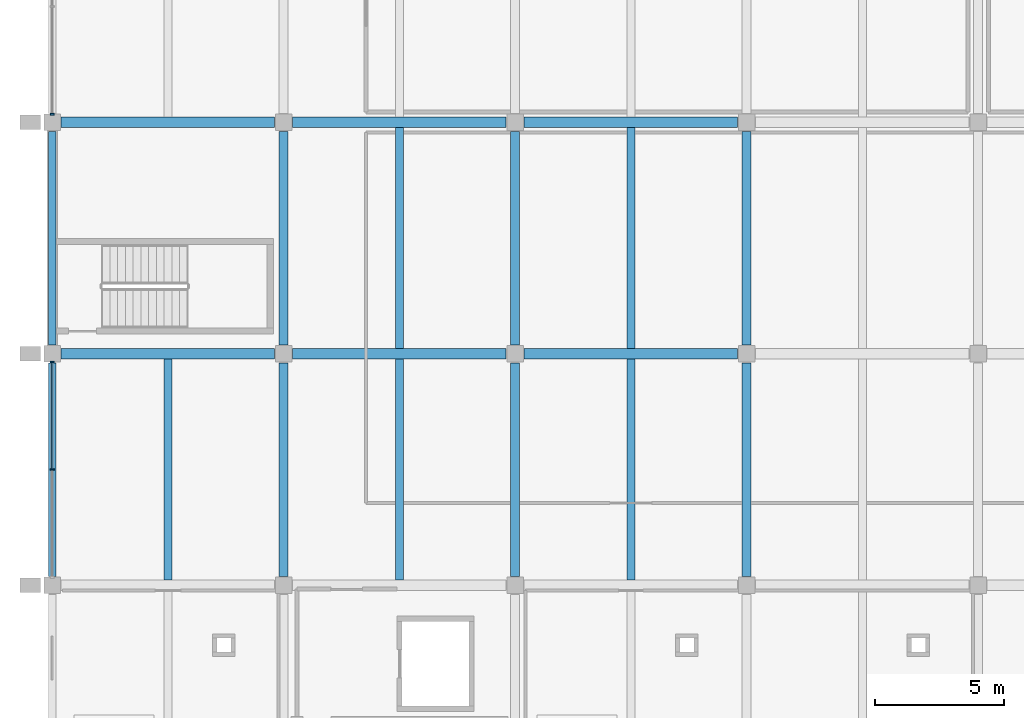
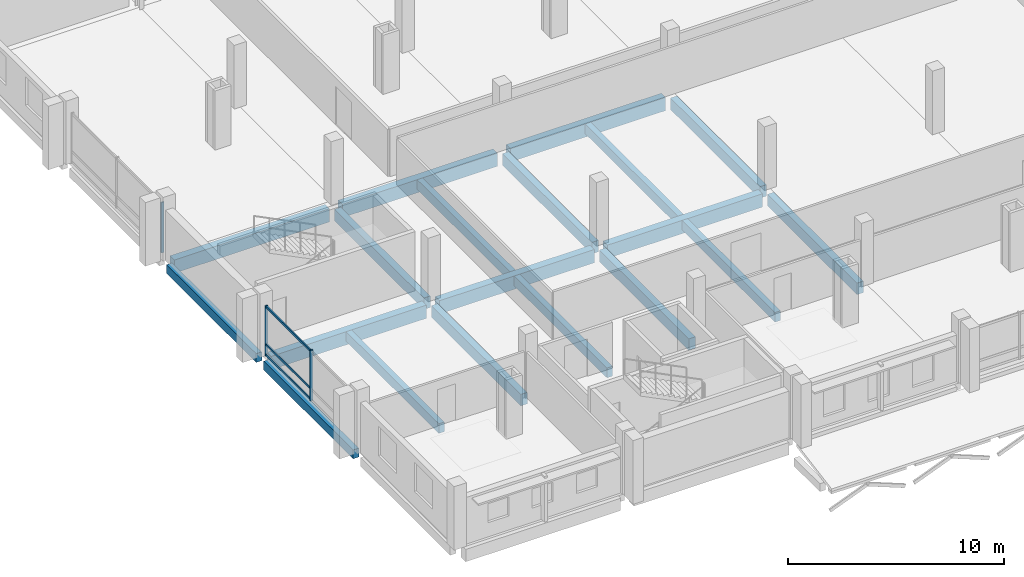
# One storey, part 31 of 132: 19 beams, 6 members, 2 elements without a shape of their own.
"""IFC4 building model written with IfcOpenShell, lengths in metres."""

import ifcopenshell
import ifcopenshell.guid

model = None  # the IFC model being written
_history = None  # IfcOwnerHistory: only IFC2X3 demands one
_inside = {}  # id of a spatial element -> (the spatial element, [elements in it])
_under = {}  # id of a project, library or spatial element -> (it, [spatial elements below it])
_declared = {}  # id of a project -> (the project, [libraries it declares])
_typed = {}  # id of a type object -> (the type object, [elements of that type])
_made_of = {}  # id of a material, layer set ... -> (it, [elements and type objects made of it])


def new_model(schema):
    """Start an empty IFC model of exactly this schema.

    Asked for "IFC4X3", IfcOpenShell would pick the latest addendum, in which some entities
    have other attributes; the version numbers below select the first issue.
    IFC2X3 requires an IfcOwnerHistory on every rooted entity: one is made here for all.
    """
    global model, _history
    if schema == "IFC4X3":
        model = ifcopenshell.file(schema_version=(4, 3, 0, 0))
    else:
        model = ifcopenshell.file(schema=schema)
    _inside.clear()
    _under.clear()
    _declared.clear()
    _typed.clear()
    _made_of.clear()
    _history = None
    if model.schema == "IFC2X3":
        org = make("IfcOrganization", Name="unknown")
        user = make(
            "IfcPersonAndOrganization",
            ThePerson=make("IfcPerson", FamilyName="unknown"),
            TheOrganization=org,
        )
        app = make(
            "IfcApplication",
            ApplicationDeveloper=org,
            Version="unknown",
            ApplicationFullName="unknown",
            ApplicationIdentifier="unknown",
        )
        _history = make(
            "IfcOwnerHistory",
            OwningUser=user,
            OwningApplication=app,
            ChangeAction="ADDED",
            CreationDate=0,
        )
    return model


def make(cls, **values):
    """One entity of the class cls with the attributes given. An attribute that is None is left unset."""
    return model.create_entity(
        cls, **{name: value for name, value in values.items() if value is not None}
    )


def rooted(cls, **values):
    """An entity with a GlobalId (a new one), such as an element, a storey or a relation."""
    return make(cls, GlobalId=ifcopenshell.guid.new(), OwnerHistory=_history, **values)


def si_unit(unit_type, name, prefix=None):
    """IfcSIUnit, for example si_unit("LENGTHUNIT", "METRE", prefix="MILLI")."""
    return make("IfcSIUnit", UnitType=unit_type, Prefix=prefix, Name=name)


def assignment(units):
    """IfcUnitAssignment: the units of a project."""
    return None if units is None else make("IfcUnitAssignment", Units=units)


def point(xyz):
    """IfcCartesianPoint."""
    return None if xyz is None else make("IfcCartesianPoint", Coordinates=xyz)


def direction(xyz):
    """IfcDirection."""
    return None if xyz is None else make("IfcDirection", DirectionRatios=xyz)


def frame(location, z_axis=None, x_axis=None):
    """IfcAxis2Placement3D, a coordinate frame: its origin and axes. An axis left out is left unset."""
    return make(
        "IfcAxis2Placement3D",
        Location=point(location),
        Axis=direction(z_axis),
        RefDirection=direction(x_axis),
    )


def frame_2d(location, x_axis=None):
    """IfcAxis2Placement2D, a coordinate frame in the plane: its origin and x axis."""
    return make(
        "IfcAxis2Placement2D", Location=point(location), RefDirection=direction(x_axis)
    )


def origin():
    """The frame at (0, 0, 0) with its axes left unset."""
    return frame((0.0, 0.0, 0.0))


def origin_2d():
    """The frame at (0, 0) in the plane with its x axis left unset."""
    return frame_2d((0.0, 0.0))


def place(relative_to, where):
    """IfcLocalPlacement: puts the frame where relative to a parent placement (None: the world)."""
    return make(
        "IfcLocalPlacement", PlacementRelTo=relative_to, RelativePlacement=where
    )


def context(
    kind, dimensions, precision=None, world=None, true_north=None, identifier=None
):
    """IfcGeometricRepresentationContext, for example the 3D "Model" context."""
    return make(
        "IfcGeometricRepresentationContext",
        ContextIdentifier=identifier,
        ContextType=kind,
        CoordinateSpaceDimension=dimensions,
        Precision=precision,
        WorldCoordinateSystem=world,
        TrueNorth=true_north,
    )


def subcontext(parent, identifier, kind, view, scale=None):
    """IfcGeometricRepresentationSubContext, for example "Body" below "Model"."""
    return make(
        "IfcGeometricRepresentationSubContext",
        ContextIdentifier=identifier,
        ContextType=kind,
        ParentContext=parent,
        TargetScale=scale,
        TargetView=view,
    )


def project(units=None, contexts=None):
    """IfcProject with its units and contexts."""
    return rooted(
        "IfcProject",
        Name="project",
        RepresentationContexts=contexts,
        UnitsInContext=assignment(units),
    )


def spatial(cls, under=None, at=None, **own):
    """A site, building, storey or space (cls), placed at a placement, below another one or the project."""
    s = rooted(cls, ObjectPlacement=at, **own)
    if under is not None:
        _under.setdefault(under.id(), (under, []))[1].append(s)
    return s


def profile(cls, at=None, kind="AREA", **sizes):
    """A parametric profile (cls). Its sizes go by their IFC names, for example OverallWidth=200.0."""
    return make(cls, ProfileType=kind, Position=at, **sizes)


def rectangle(**sizes):
    """IfcRectangleProfileDef."""
    return profile("IfcRectangleProfileDef", **sizes)


def extrude(swept, where, along, depth):
    """IfcExtrudedAreaSolid: the profile swept, set in the frame where, extruded along a direction by depth."""
    return make(
        "IfcExtrudedAreaSolid",
        SweptArea=swept,
        Position=where,
        ExtrudedDirection=direction(along),
        Depth=depth,
    )


def shape(context_of_items, identifier, shape_type, items):
    """IfcShapeRepresentation: the items that make up one representation, for example the "Body"."""
    return make(
        "IfcShapeRepresentation",
        ContextOfItems=context_of_items,
        RepresentationIdentifier=identifier,
        RepresentationType=shape_type,
        Items=items,
    )


def material(Name=None, Category=None):
    """IfcMaterial."""
    return make("IfcMaterial", Name=Name, Category=Category)


def material_profile(
    of_material, cross_section, Name=None, Category=None, Priority=None
):
    """IfcMaterialProfile: a cross section and its material."""
    return make(
        "IfcMaterialProfile",
        Name=Name,
        Material=of_material,
        Profile=cross_section,
        Priority=Priority,
        Category=Category,
    )


def profile_set(profiles, Name=None, composite=None):
    """IfcMaterialProfileSet."""
    return make(
        "IfcMaterialProfileSet",
        Name=Name,
        MaterialProfiles=profiles,
        CompositeProfile=composite,
    )


def made_of(thing, what):
    """Note that an element or type object is made of a material, layer set ...; save() writes the relation."""
    if what is not None:
        _made_of.setdefault(what.id(), (what, []))[1].append(thing)
    return thing


def type_object(cls, material=None, **own):
    """A type object (cls), such as IfcWallType, which elements share."""
    return made_of(rooted(cls, **own), material)


def element(
    cls,
    number,
    at=None,
    inside=None,
    cuts=None,
    type_object=None,
    material=None,
    context=None,
    identifier="Body",
    shape_type=None,
    held_by="IfcProductDefinitionShape",
    body=None,
    shapes=None,
    **own,
):
    """One element of the class cls, such as IfcWall. Its Tag is "e" and its number.

    at: its placement. inside: the storey or other place that contains it. cuts: it is an
    opening in that element (IfcRelVoidsElement). A single representation is given by context,
    identifier, shape_type and body (its items); several are given by shapes. held_by: the class
    of the entity that holds the representations. save() writes the other relations.
    """
    e = rooted(cls, Tag="e%d" % number, ObjectPlacement=at, **own)
    if body is not None:
        shapes = [shape(context, identifier, shape_type, body)]
    if shapes is not None:
        e.Representation = make(held_by, Representations=shapes)
    if inside is not None:
        _inside.setdefault(inside.id(), (inside, []))[1].append(e)
    if cuts is not None:
        rooted(
            "IfcRelVoidsElement", RelatingBuildingElement=cuts, RelatedOpeningElement=e
        )
    if type_object is not None:
        _typed.setdefault(type_object.id(), (type_object, []))[1].append(e)
    return made_of(e, material)


def aggregate(whole, parts):
    """IfcRelAggregates: a whole, such as a stair, and the parts it consists of."""
    return rooted("IfcRelAggregates", RelatingObject=whole, RelatedObjects=parts)


def save(model, path):
    """Write the relations noted so far, then the file.

    IfcRelAggregates (storeys below a building ...), IfcRelContainedInSpatialStructure (elements
    in a storey), IfcRelDefinesByType, IfcRelAssociatesMaterial and IfcRelDeclares: one each for
    every whole, place, type object, material and project.
    """
    for whole, parts in _under.values():
        aggregate(whole, parts)
    for where, things in _inside.values():
        rooted(
            "IfcRelContainedInSpatialStructure",
            RelatedElements=things,
            RelatingStructure=where,
        )
    for kind, things in _typed.values():
        rooted("IfcRelDefinesByType", RelatedObjects=things, RelatingType=kind)
    for what, things in _made_of.values():
        rooted("IfcRelAssociatesMaterial", RelatedObjects=things, RelatingMaterial=what)
    for by, libraries in _declared.values():
        rooted("IfcRelDeclares", RelatingContext=by, RelatedDefinitions=libraries)
    model.write(path)


model = new_model("IFC4")

# Units and contexts
model_context = context("Model", 3, precision=1e-05, world=origin(), true_north=direction((0.0, 1.0)))
body_context = subcontext(model_context, "Body", "Model", "MODEL_VIEW")
ifc_project = project(units=[si_unit("LENGTHUNIT", "METRE"), si_unit("AREAUNIT", "SQUARE_METRE"), si_unit("VOLUMEUNIT", "CUBIC_METRE"), si_unit("PLANEANGLEUNIT", "RADIAN"), si_unit("MASSUNIT", "GRAM", prefix="KILO")], contexts=[model_context])

# Site, building, storey
site_placement = place(None, origin())
site = spatial("IfcSite", under=ifc_project, at=site_placement, CompositionType="ELEMENT")
building_placement = place(site_placement, origin())
building = spatial("IfcBuilding", under=site, at=building_placement, Name="Tharagai Park Tramway Depot", CompositionType="ELEMENT")
storey_placement = place(building_placement, frame((0.0, 0.0, 4.800048828125)))
storey = spatial("IfcBuildingStorey", under=building, at=storey_placement, Name="L01", CompositionType="ELEMENT", Elevation=4.800048828125)

# Beams
ifc_material_1 = material(Name="Concrete M35", Category="concrete")
ifc_material_profile_1 = material_profile(ifc_material_1, rectangle(XDim=0.35009765625, YDim=0.64990234375, at=origin_2d()), Name="RC 350x650")
ifc_profile_set_1 = profile_set([ifc_material_profile_1], Name="Concrete M35")
beam_type_1 = type_object("IfcBeamType", Name="BM-13", PredefinedType="BEAM", material=ifc_profile_set_1)
for number, where, z_axis, x_axis, name in (
    (1, (9.0, 9.35009765625, -0.574951171875), (0.0, 1.0, 0.0), (-1.0, 0.0, 0.0), "L01 Grid Beam BM-13"),
    (2, (9.0, 18.35009765625, -0.574951171875), (0.0, 1.0, 0.0), (-1.0, 0.0, 0.0), "L01 Grid Beam BM-13"),
    (3, (18.0, 9.35009765625, -0.574951171875), (0.0, 1.0, 0.0), (-1.0, 0.0, 0.0), "L01 Grid Beam BM-13"),
    (4, (18.0, 18.35009765625, -0.574951171875), (0.0, 1.0, 0.0), (-1.0, 0.0, 0.0), "L01 Grid Beam BM-13"),
    (5, (27.0, 9.35009765625, -0.574951171875), (0.0, 1.0, 0.0), (-1.0, 0.0, 0.0), "L01 Grid Beam BM-13"),
    (6, (27.0, 18.35009765625, -0.574951171875), (0.0, 1.0, 0.0), (-1.0, 0.0, 0.0), "L01 Grid Beam BM-13"),
):
    element("IfcBeam", number, at=place(storey_placement, frame(where, z_axis=z_axis, x_axis=x_axis)), inside=storey, type_object=beam_type_1, Name=name, PredefinedType="BEAM", context=body_context, shape_type="SweptSolid", body=[
        extrude(rectangle(XDim=0.35009765625, YDim=0.64990234375, at=origin_2d()), origin(), (0.0, 0.0, 1.0), 8.2998046875),
    ])
ifc_material_profile_2 = material_profile(ifc_material_1, rectangle(XDim=0.39990234375, YDim=0.75, at=origin_2d()), Name="RC 400x750")
ifc_profile_set_2 = profile_set([ifc_material_profile_2], Name="Concrete M35")
beam_type_2 = type_object("IfcBeamType", Name="BM-19", PredefinedType="BEAM", material=ifc_profile_set_2)
for number, where, z_axis, x_axis, name in (
    (7, (0.35009765625, 18.0, -0.625), (1.0, 0.0, 0.0), (0.0, 1.0, 0.0), "L01 Grid Beam BM-19"),
    (8, (9.35009765625, 18.0, -0.625), (1.0, 0.0, 0.0), (0.0, 1.0, 0.0), "L01 Grid Beam BM-19"),
    (9, (18.35009765625, 18.0, -0.625), (1.0, 0.0, 0.0), (0.0, 1.0, 0.0), "L01 Grid Beam BM-19"),
    (10, (0.35009765625, 27.0, -0.625), (1.0, 0.0, 0.0), (0.0, 1.0, 0.0), "L01 Grid Beam BM-19"),
    (11, (9.35009765625, 27.0, -0.625), (1.0, 0.0, 0.0), (0.0, 1.0, 0.0), "L01 Grid Beam BM-19"),
    (12, (18.35009765625, 27.0, -0.625), (1.0, 0.0, 0.0), (0.0, 1.0, 0.0), "L01 Grid Beam BM-19"),
):
    element("IfcBeam", number, at=place(storey_placement, frame(where, z_axis=z_axis, x_axis=x_axis)), inside=storey, type_object=beam_type_2, Name=name, PredefinedType="BEAM", context=body_context, shape_type="SweptSolid", body=[
        extrude(rectangle(XDim=0.39990234375, YDim=0.75, at=origin_2d()), origin(), (0.0, 0.0, 1.0), 8.2998046875),
    ])

# Curtain wall, members
ifc_material_2 = material(Name="Anodised aluminium", Category="aluminium")
curtain_wall_type = type_object("IfcCurtainWallType", Name="CW-07", PredefinedType="NOTDEFINED", material=ifc_material_2)
curtain_wall_1_placement = place(storey_placement, origin())
curtain_wall_1 = element("IfcCurtainWall", 13, at=curtain_wall_1_placement, inside=storey, type_object=curtain_wall_type, Name="L01 V4 Side Mullioned Curtain Wall CW-07", PredefinedType="NOTDEFINED")
ifc_material_profile_3 = material_profile(ifc_material_2, rectangle(XDim=0.06494140625, YDim=0.1201171875, at=origin_2d()), Name="ALU 65x120")
ifc_profile_set_3 = profile_set([ifc_material_profile_3], Name="Anodised aluminium")
member_type_1 = type_object("IfcMemberType", Name="CM-01", PredefinedType="USERDEFINED", material=ifc_profile_set_3)
member_1_placement = place(storey_placement, frame((0.0, 13.514892578125, 0.06005859375), z_axis=(0.0, 1.0, 0.0), x_axis=(-1.0, 0.0, 0.0)))
member_1 = element("IfcMember", 14, at=member_1_placement, type_object=member_type_1, Name="L01 V4 Side Mullioned Curtain Wall Transom 2.1", ObjectType="TRANSOM", PredefinedType="USERDEFINED", context=body_context, shape_type="SweptSolid", body=[
    extrude(rectangle(XDim=0.06494140625, YDim=0.1201171875, at=origin_2d()), origin(), (0.0, 0.0, 1.0), 4.155029296875),
])
member_2_placement = place(storey_placement, frame((0.0, 13.514892578125, 0.64990234375), z_axis=(0.0, 1.0, 0.0), x_axis=(-1.0, 0.0, 0.0)))
member_2 = element("IfcMember", 15, at=member_2_placement, type_object=member_type_1, Name="L01 V4 Side Mullioned Curtain Wall Transom 2.2", ObjectType="TRANSOM", PredefinedType="USERDEFINED", context=body_context, shape_type="SweptSolid", body=[
    extrude(rectangle(XDim=0.06494140625, YDim=0.1201171875, at=origin_2d()), origin(), (0.0, 0.0, 1.0), 4.155029296875),
])
member_3_placement = place(storey_placement, frame((0.0, 13.514892578125, 2.77001953125), z_axis=(0.0, 1.0, 0.0), x_axis=(-1.0, 0.0, 0.0)))
member_3 = element("IfcMember", 16, at=member_3_placement, type_object=member_type_1, Name="L01 V4 Side Mullioned Curtain Wall Transom 2.3", ObjectType="TRANSOM", PredefinedType="USERDEFINED", context=body_context, shape_type="SweptSolid", body=[
    extrude(rectangle(XDim=0.06494140625, YDim=0.1201171875, at=origin_2d()), origin(), (0.0, 0.0, 1.0), 4.155029296875),
])
ifc_material_profile_4 = material_profile(ifc_material_2, rectangle(XDim=0.06494140625, YDim=0.14990234375, at=origin_2d()), Name="ALU 65x150")
ifc_profile_set_4 = profile_set([ifc_material_profile_4], Name="Anodised aluminium")
member_type_2 = type_object("IfcMemberType", Name="CM-03", PredefinedType="MULLION", material=ifc_profile_set_4)
member_4_placement = place(storey_placement, frame((0.0, 13.5, -0.005126953125), z_axis=(0.0, 0.0, 1.0), x_axis=(0.0, 1.0, 0.0)))
member_4 = element("IfcMember", 17, at=member_4_placement, type_object=member_type_2, Name="L01 V4 Side Mullioned Curtain Wall Mullion 2", PredefinedType="MULLION", context=body_context, shape_type="SweptSolid", body=[
    extrude(rectangle(XDim=0.06494140625, YDim=0.14990234375, at=origin_2d()), origin(), (0.0, 0.0, 1.0), 2.860107421875),
])
member_5_placement = place(storey_placement, frame((0.0, 17.68505859375, -0.005126953125), z_axis=(0.0, 0.0, 1.0), x_axis=(0.0, 1.0, 0.0)))
member_5 = element("IfcMember", 18, at=member_5_placement, type_object=member_type_2, Name="L01 V4 Side Mullioned Curtain Wall Mullion 3", PredefinedType="MULLION", context=body_context, shape_type="SweptSolid", body=[
    extrude(rectangle(XDim=0.06494140625, YDim=0.14990234375, at=origin_2d()), origin(), (0.0, 0.0, 1.0), 2.860107421875),
])
aggregate(curtain_wall_1, [member_4, member_5, member_1, member_2, member_3])

# Curtain wall, member
curtain_wall_2_placement = place(storey_placement, origin())
curtain_wall_2 = element("IfcCurtainWall", 19, at=curtain_wall_2_placement, inside=storey, type_object=curtain_wall_type, Name="L01 V4 Side Mullioned Curtain Wall CW-07", PredefinedType="NOTDEFINED")
member_6_placement = place(storey_placement, frame((0.0, 27.31494140625, -0.005126953125), z_axis=(0.0, 0.0, 1.0), x_axis=(0.0, 1.0, 0.0)))
member_6 = element("IfcMember", 20, at=member_6_placement, type_object=member_type_2, Name="L01 V4 Side Mullioned Curtain Wall Mullion 1", PredefinedType="MULLION", context=body_context, shape_type="SweptSolid", body=[
    extrude(rectangle(XDim=0.06494140625, YDim=0.14990234375, at=origin_2d()), origin(), (0.0, 0.0, 1.0), 2.860107421875),
])
aggregate(curtain_wall_2, [member_6])

# Beams
ifc_material_profile_5 = material_profile(ifc_material_1, rectangle(XDim=0.300048828125, YDim=0.550048828125, at=origin_2d()), Name="RC 300x550")
ifc_profile_set_5 = profile_set([ifc_material_profile_5], Name="Concrete M35")
beam_type_3 = type_object("IfcBeamType", Name="JT-06", PredefinedType="JOIST", material=ifc_profile_set_5)
for number, where, z_axis, x_axis, name in (
    (21, (4.5, 9.199951171875, -0.525146484375), (0.0, 1.0, 0.0), (-1.0, 0.0, 0.0), "L01 Secondary Joist JT-06"),
    (22, (13.5, 9.199951171875, -0.525146484375), (0.0, 1.0, 0.0), (-1.0, 0.0, 0.0), "L01 Secondary Joist JT-06"),
    (23, (13.5, 18.199951171875, -0.525146484375), (0.0, 1.0, 0.0), (-1.0, 0.0, 0.0), "L01 Secondary Joist JT-06"),
    (24, (22.5, 9.199951171875, -0.525146484375), (0.0, 1.0, 0.0), (-1.0, 0.0, 0.0), "L01 Secondary Joist JT-06"),
    (25, (22.5, 18.199951171875, -0.525146484375), (0.0, 1.0, 0.0), (-1.0, 0.0, 0.0), "L01 Secondary Joist JT-06"),
):
    element("IfcBeam", number, at=place(storey_placement, frame(where, z_axis=z_axis, x_axis=x_axis)), inside=storey, type_object=beam_type_3, Name=name, PredefinedType="JOIST", context=body_context, shape_type="SweptSolid", body=[
        extrude(rectangle(XDim=0.300048828125, YDim=0.550048828125, at=origin_2d()), origin(), (0.0, 0.0, 1.0), 8.60009765625),
    ])
ifc_material_profile_6 = material_profile(ifc_material_1, rectangle(XDim=0.300048828125, YDim=0.5, at=origin_2d()), Name="RC 300x500")
ifc_profile_set_6 = profile_set([ifc_material_profile_6], Name="Concrete M35")
beam_type_4 = type_object("IfcBeamType", Name="SP-03", PredefinedType="SPANDREL", material=ifc_profile_set_6)
for number, where, z_axis, x_axis, name in (
    (26, (0.0, 9.35009765625, -0.5), (0.0, 1.0, 0.0), (-1.0, 0.0, 0.0), "L01 Grid Beam SP-03"),
    (27, (0.0, 18.35009765625, -0.5), (0.0, 1.0, 0.0), (-1.0, 0.0, 0.0), "L01 Grid Beam SP-03"),
):
    element("IfcBeam", number, at=place(storey_placement, frame(where, z_axis=z_axis, x_axis=x_axis)), inside=storey, type_object=beam_type_4, Name=name, PredefinedType="SPANDREL", context=body_context, shape_type="SweptSolid", body=[
        extrude(rectangle(XDim=0.300048828125, YDim=0.5, at=origin_2d()), origin(), (0.0, 0.0, 1.0), 8.2998046875),
    ])

save(model, "model.ifc")
